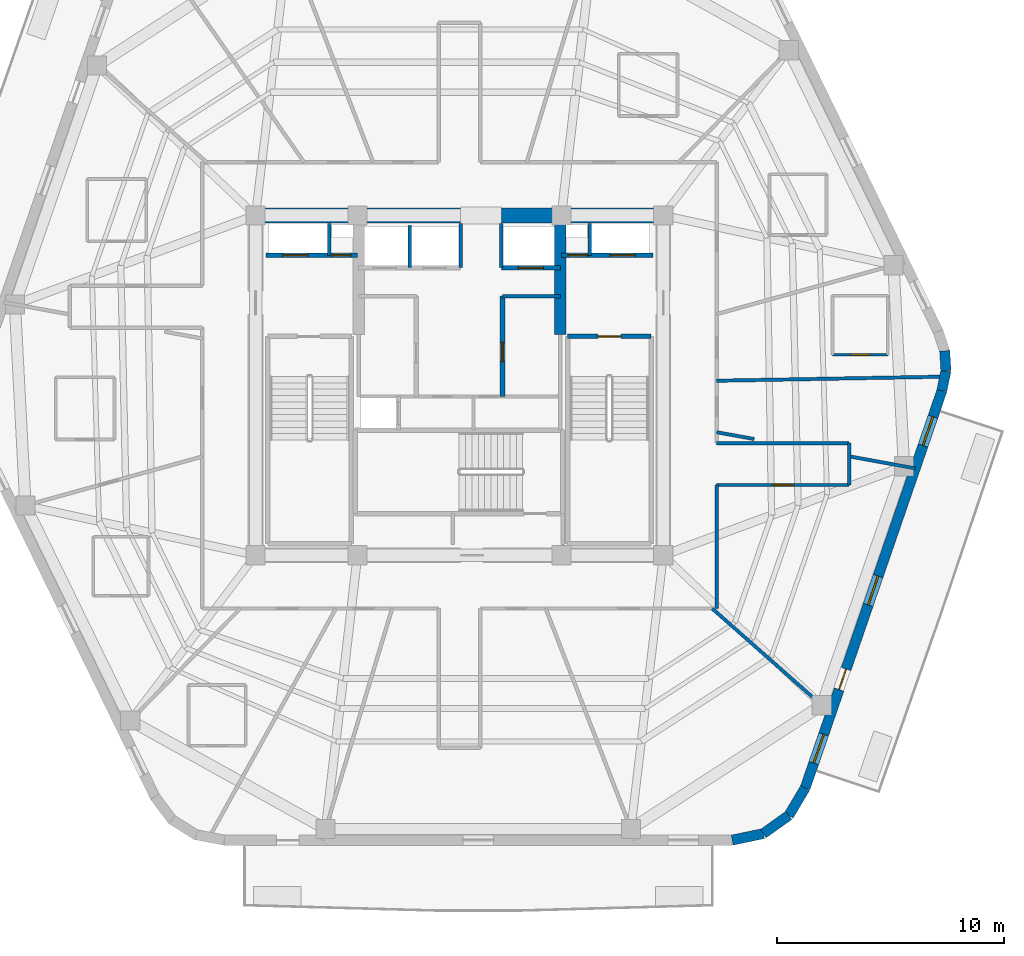
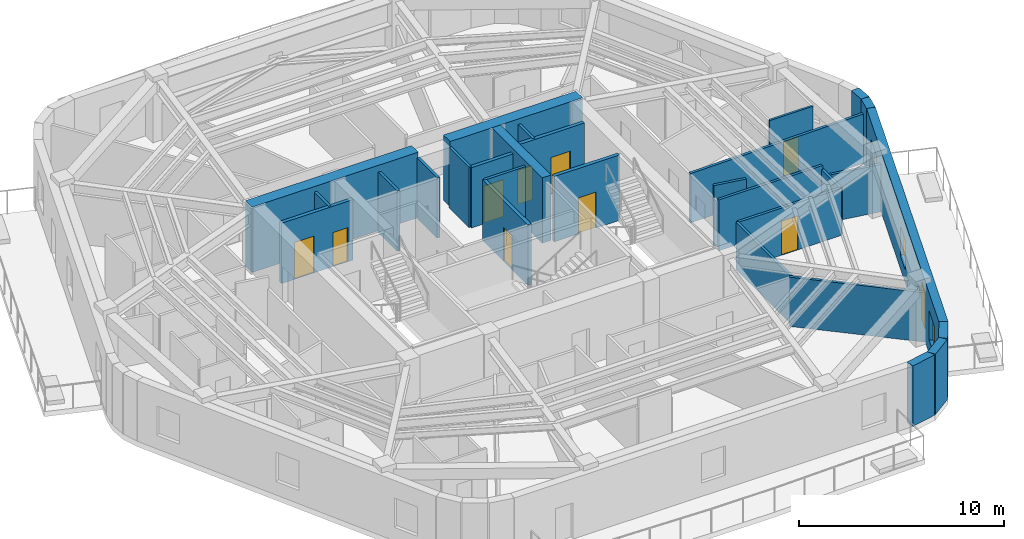
# One storey, part 5 of 9: 29 walls, 10 doors, 3 windows, 13 openings.
"""IFC4 building model written with IfcOpenShell, lengths in metres."""

from ifc_helpers import new_model, si_unit, direction, frame, frame_2d, origin, place, context, subcontext, project, spatial, rectangle, extrude, material, layer, layer_set, type_object, element, fill, save


model = new_model("IFC4")

# Units and contexts
model_context = context("Model", 3, precision=1e-05, world=origin(), true_north=direction((0.0, 1.0)))
body_context = subcontext(model_context, "Body", "Model", "MODEL_VIEW")
ifc_project = project(units=[si_unit("LENGTHUNIT", "METRE"), si_unit("AREAUNIT", "SQUARE_METRE"), si_unit("VOLUMEUNIT", "CUBIC_METRE"), si_unit("PLANEANGLEUNIT", "RADIAN"), si_unit("MASSUNIT", "GRAM", prefix="KILO")], contexts=[model_context])

# Site, building, storey
site_placement = place(None, origin())
site = spatial("IfcSite", under=ifc_project, at=site_placement, CompositionType="ELEMENT")
building_placement = place(site_placement, origin())
building = spatial("IfcBuilding", under=site, at=building_placement, Name="Kilnhurst Terrace Hotel", CompositionType="ELEMENT")
storey_placement = place(building_placement, frame((0.0, 0.0, 297.60009765625)))
storey = spatial("IfcBuildingStorey", under=building, at=storey_placement, Name="L74", CompositionType="ELEMENT", Elevation=297.60009765625)

# Walls
ifc_material_1 = material(Name="Precast concrete C40/50", Category="concrete")
ifc_layer_1 = layer(ifc_material_1, 0.449951171875, Name="Precast concrete C40/50")
ifc_layer_set_1 = layer_set([ifc_layer_1], Name="Precast concrete C40/50")
wall_type_1 = type_object("IfcWallType", Name="WL-BRK-450", PredefinedType="SOLIDWALL", material=ifc_layer_set_1)
wall_1_placement = place(storey_placement, frame((12.038330078125, -20.074951171875, 0.0), z_axis=(0.0, 0.0, 1.0), x_axis=(0.978750122553, 0.205056571711, 0.0)))
element("IfcWall", 1, at=wall_1_placement, inside=storey, type_object=wall_type_1, Name="L74 Rounded Corner Brick Wall C2.1", PredefinedType="SOLIDWALL", context=body_context, shape_type="SweptSolid", body=[
    extrude(rectangle(XDim=1.406005859375, YDim=0.449951171875, at=frame_2d((0.703125, 0.0))), origin(), (0.0, 0.0, 1.0), 3.599853515625),
])
wall_2_placement = place(storey_placement, frame((13.41455078125, -19.78662109375, 0.0), z_axis=(0.0, 0.0, 1.0), x_axis=(0.814055493997, 0.580787097561, 0.0)))
element("IfcWall", 2, at=wall_2_placement, inside=storey, type_object=wall_type_1, Name="L74 Rounded Corner Brick Wall C2.2", PredefinedType="SOLIDWALL", context=body_context, shape_type="SweptSolid", body=[
    extrude(rectangle(XDim=1.382568359375, YDim=0.449951171875, at=frame_2d((0.69140625, 0.0))), origin(), (0.0, 0.0, 1.0), 3.599853515625),
])
wall_3_placement = place(storey_placement, frame((14.5400390625, -18.983642578125, 0.0), z_axis=(0.0, 0.0, 1.0), x_axis=(0.512374906623, 0.858761873317, 0.0)))
element("IfcWall", 3, at=wall_3_placement, inside=storey, type_object=wall_type_1, Name="L74 Rounded Corner Brick Wall C2.3", PredefinedType="SOLIDWALL", context=body_context, shape_type="SweptSolid", body=[
    extrude(rectangle(XDim=1.406005859375, YDim=0.449951171875, at=frame_2d((0.703125, 0.0))), origin(), (0.0, 0.0, 1.0), 3.599853515625),
])
wall_4_placement = place(storey_placement, frame((21.297607421875, -0.2333984375, 0.0), z_axis=(0.0, 0.0, 1.0), x_axis=(0.199158176661, 0.979967356941, 0.0)))
element("IfcWall", 4, at=wall_4_placement, inside=storey, type_object=wall_type_1, Name="L74 Rounded Corner Brick Wall C3.1", PredefinedType="SOLIDWALL", context=body_context, shape_type="SweptSolid", body=[
    extrude(rectangle(XDim=0.894775390625, YDim=0.449951171875, at=frame_2d((0.447265625, 0.0))), origin(), (0.0, 0.0, 1.0), 3.599853515625),
])
wall_5_placement = place(storey_placement, frame((21.475830078125, 0.6435546875, 0.0), z_axis=(0.0, 0.0, 1.0), x_axis=(-0.061031097918, 0.998135865044, 0.0)))
element("IfcWall", 5, at=wall_5_placement, inside=storey, type_object=wall_type_1, Name="L74 Rounded Corner Brick Wall C3.2", PredefinedType="SOLIDWALL", context=body_context, shape_type="SweptSolid", body=[
    extrude(rectangle(XDim=0.880126953125, YDim=0.449951171875, at=frame_2d((0.43994140625, 0.0))), origin(), (0.0, 0.0, 1.0), 3.599853515625),
])

# Wall, openings, door, windows
wall_6_placement = place(storey_placement, frame((15.260498046875, -17.776123046875, 0.0), z_axis=(0.0, 0.0, 1.0), x_axis=(0.325407437101, 0.945573899745, 0.0)))
wall_6 = element("IfcWall", 6, at=wall_6_placement, inside=storey, type_object=wall_type_1, Name="L74 Exterior Brick Facade Wall F2", PredefinedType="SOLIDWALL", context=body_context, shape_type="SweptSolid", body=[
    extrude(rectangle(XDim=18.552490234375, YDim=0.449951171875, at=frame_2d((9.2763671875, 0.0))), origin(), (0.0, 0.0, 1.0), 3.599853515625),
])
opening_1_placement = place(wall_6_placement, frame((4.60205078125, 0.0, 0.0)))
opening_1 = element("IfcOpeningElement", 7, at=opening_1_placement, cuts=wall_6, Name="Opening BD-950", PredefinedType="OPENING", context=body_context, shape_type="SweptSolid", body=[
    extrude(rectangle(XDim=0.949951171875, YDim=2.14990234375, at=frame_2d((0.47509765625, 1.074951171875))), frame((0.0, 0.23486328125, 0.0), z_axis=(0.0, -1.0, 0.0), x_axis=(1.0, 0.0, 0.0)), (0.0, 0.0, 1.0), 0.469970703125),
])
opening_2_placement = place(wall_6_placement, frame((1.160888671875, 0.0, 0.800048828125)))
opening_2 = element("IfcOpeningElement", 8, at=opening_2_placement, cuts=wall_6, Name="Opening W-06", PredefinedType="OPENING", context=body_context, shape_type="SweptSolid", body=[
    extrude(rectangle(XDim=1.35009765625, YDim=1.75, at=frame_2d((0.675048828125, 0.875))), frame((0.0, 0.23486328125, 0.0), z_axis=(0.0, -1.0, 0.0), x_axis=(1.0, 0.0, 0.0)), (0.0, 0.0, 1.0), 0.469970703125),
])
opening_3_placement = place(wall_6_placement, frame((8.548095703125, 0.0, 0.800048828125)))
opening_3 = element("IfcOpeningElement", 9, at=opening_3_placement, cuts=wall_6, Name="Opening W-06", PredefinedType="OPENING", context=body_context, shape_type="SweptSolid", body=[
    extrude(rectangle(XDim=1.35009765625, YDim=1.75, at=frame_2d((0.675048828125, 0.875))), frame((0.0, 0.23486328125, 0.0), z_axis=(0.0, -1.0, 0.0), x_axis=(1.0, 0.0, 0.0)), (0.0, 0.0, 1.0), 0.469970703125),
])
opening_4_placement = place(wall_6_placement, frame((15.987060546875, 0.0, 0.800048828125)))
opening_4 = element("IfcOpeningElement", 10, at=opening_4_placement, cuts=wall_6, Name="Opening W-06", PredefinedType="OPENING", context=body_context, shape_type="SweptSolid", body=[
    extrude(rectangle(XDim=1.35009765625, YDim=1.75, at=frame_2d((0.675048828125, 0.875))), frame((0.0, 0.23486328125, 0.0), z_axis=(0.0, -1.0, 0.0), x_axis=(1.0, 0.0, 0.0)), (0.0, 0.0, 1.0), 0.469970703125),
])
ifc_material_2 = material(Name="Thermally Broken Bronze Aluminium Alloy 6063-T6 and Laminated Glass", Category="aluminium")
door_type_1 = type_object("IfcDoorType", Name="DR-EXT-BAL-950", OperationType="NOTDEFINED", PredefinedType="DOOR", material=ifc_material_2)
door_1_placement = place(opening_1_placement, origin())
door_1 = element("IfcDoor", 11, at=door_1_placement, inside=storey, type_object=door_type_1, Name="L74 Planted Balcony Door BAL-L1B", OperationType="SINGLE_SWING_RIGHT", OverallHeight=2.14990234375, OverallWidth=0.949951171875, PredefinedType="DOOR", context=body_context, shape_type="SweptSolid", body=[
    extrude(rectangle(XDim=0.949951171875, YDim=2.14990234375, at=frame_2d((0.47509765625, 1.074951171875))), frame((0.0, 0.02490234375, 0.0), z_axis=(0.0, -1.0, 0.0), x_axis=(1.0, 0.0, 0.0)), (0.0, 0.0, 1.0), 0.050048828125),
])
fill(opening_1, door_1)
ifc_material_3 = material(Name="Thermally Broken Bronze Aluminium Alloy 6063-T6 and Low-E Glass", Category="aluminium")
window_type = type_object("IfcWindowType", Name="WIN-1350X1750", PartitioningType="SINGLE_PANEL", PredefinedType="WINDOW", material=ifc_material_3)
window_1_placement = place(opening_2_placement, origin())
window_1 = element("IfcWindow", 12, at=window_1_placement, inside=storey, type_object=window_type, Name="L74 Deep-Set Masonry Window F2.1", OverallHeight=1.75, OverallWidth=1.35009765625, PartitioningType="SINGLE_PANEL", PredefinedType="WINDOW", context=body_context, shape_type="SweptSolid", body=[
    extrude(rectangle(XDim=1.35009765625, YDim=1.75, at=frame_2d((0.675048828125, 0.875))), frame((0.0, 0.030029296875, 0.0), z_axis=(0.0, -1.0, 0.0), x_axis=(1.0, 0.0, 0.0)), (0.0, 0.0, 1.0), 0.06005859375),
])
fill(opening_2, window_1)
window_2_placement = place(opening_3_placement, origin())
window_2 = element("IfcWindow", 13, at=window_2_placement, inside=storey, type_object=window_type, Name="L74 Deep-Set Masonry Window F2.2", OverallHeight=1.75, OverallWidth=1.35009765625, PartitioningType="SINGLE_PANEL", PredefinedType="WINDOW", context=body_context, shape_type="SweptSolid", body=[
    extrude(rectangle(XDim=1.35009765625, YDim=1.75, at=frame_2d((0.675048828125, 0.875))), frame((0.0, 0.030029296875, 0.0), z_axis=(0.0, -1.0, 0.0), x_axis=(1.0, 0.0, 0.0)), (0.0, 0.0, 1.0), 0.06005859375),
])
fill(opening_3, window_2)
window_3_placement = place(opening_4_placement, origin())
window_3 = element("IfcWindow", 14, at=window_3_placement, inside=storey, type_object=window_type, Name="L74 Deep-Set Masonry Window F2.3", OverallHeight=1.75, OverallWidth=1.35009765625, PartitioningType="SINGLE_PANEL", PredefinedType="WINDOW", context=body_context, shape_type="SweptSolid", body=[
    extrude(rectangle(XDim=1.35009765625, YDim=1.75, at=frame_2d((0.675048828125, 0.875))), frame((0.0, 0.030029296875, 0.0), z_axis=(0.0, -1.0, 0.0), x_axis=(1.0, 0.0, 0.0)), (0.0, 0.0, 1.0), 0.06005859375),
])
fill(opening_4, window_3)

# Walls
ifc_material_4 = material(Name="Acoustic Double-Gypsum Corridor Partition Assembly")
ifc_layer_2 = layer(ifc_material_4, 0.14990234375, Name="Acoustic Double-Gypsum Corridor Partition Assembly")
ifc_layer_set_2 = layer_set([ifc_layer_2], Name="Acoustic Double-Gypsum Corridor Partition Assembly")
wall_type_2 = type_object("IfcWallType", Name="WL-COR-150", PredefinedType="PARTITIONING", material=ifc_layer_set_2)
wall_7_placement = place(storey_placement, frame((11.35009765625, -2.550048828125, 0.0), z_axis=(0.0, 0.0, 1.0), x_axis=(1.0, 0.0, 0.0)))
element("IfcWall", 15, at=wall_7_placement, inside=storey, type_object=wall_type_2, Name="L74 Interior Wall WL-L74-COR-12", PredefinedType="PARTITIONING", context=body_context, shape_type="SweptSolid", body=[
    extrude(rectangle(XDim=5.849853515625, YDim=0.14990234375, at=frame_2d((2.9248046875, 0.0))), origin(), (0.0, 0.0, 1.0), 3.040283203125),
])
wall_8_placement = place(storey_placement, frame((17.199951171875, -2.550048828125, 0.0), z_axis=(0.0, 0.0, 1.0), x_axis=(0.0, -1.0, 0.0)))
element("IfcWall", 16, at=wall_8_placement, inside=storey, type_object=wall_type_2, Name="L74 Interior Wall WL-L74-COR-13", PredefinedType="PARTITIONING", context=body_context, shape_type="SweptSolid", body=[
    extrude(rectangle(XDim=1.849853515625, YDim=0.14990234375, at=frame_2d((0.9248046875, 0.0))), origin(), (0.0, 0.0, 1.0), 2.81640625),
])

# Wall, opening, door
wall_9_placement = place(storey_placement, frame((17.199951171875, -4.39990234375, 0.0), z_axis=(0.0, 0.0, 1.0), x_axis=(-1.0, 0.0, 0.0)))
wall_9 = element("IfcWall", 17, at=wall_9_placement, inside=storey, type_object=wall_type_2, Name="L74 Interior Wall WL-L74-COR-14", PredefinedType="PARTITIONING", context=body_context, shape_type="SweptSolid", body=[
    extrude(rectangle(XDim=5.849853515625, YDim=0.14990234375, at=frame_2d((2.9248046875, 0.0))), origin(), (0.0, 0.0, 1.0), 2.81640625),
])
opening_5_placement = place(wall_9_placement, frame((2.449951171875, 0.0, 0.0)))
opening_5 = element("IfcOpeningElement", 18, at=opening_5_placement, cuts=wall_9, Name="Opening D-60B", PredefinedType="OPENING", context=body_context, shape_type="SweptSolid", body=[
    extrude(rectangle(XDim=0.949951171875, YDim=2.030029296875, at=frame_2d((0.47509765625, 1.01513671875))), frame((0.0, 0.0849609375, 0.0), z_axis=(0.0, -1.0, 0.0), x_axis=(1.0, 0.0, 0.0)), (0.0, 0.0, 1.0), 0.169921875),
])
ifc_material_5 = material(Name="Acoustic Walnut Veneer Solid-Core Fire Door")
door_type_2 = type_object("IfcDoorType", Name="DR-FD60-950", OperationType="NOTDEFINED", PredefinedType="DOOR", material=ifc_material_5)
door_2_placement = place(opening_5_placement, origin())
door_2 = element("IfcDoor", 19, at=door_2_placement, inside=storey, type_object=door_type_2, Name="L74 Summit Boardroom Door", OperationType="SINGLE_SWING_RIGHT", OverallHeight=2.030029296875, OverallWidth=0.949951171875, PredefinedType="DOOR", context=body_context, shape_type="SweptSolid", body=[
    extrude(rectangle(XDim=0.949951171875, YDim=2.030029296875, at=frame_2d((0.47509765625, 1.01513671875))), frame((0.0, 0.02490234375, 0.0), z_axis=(0.0, -1.0, 0.0), x_axis=(1.0, 0.0, 0.0)), (0.0, 0.0, 1.0), 0.050048828125),
])
fill(opening_5, door_2)

# Walls
wall_10_placement = place(storey_placement, frame((11.35009765625, -4.39990234375, 0.0), z_axis=(0.0, 0.0, 1.0), x_axis=(0.0, -1.0, 0.0)))
element("IfcWall", 20, at=wall_10_placement, inside=storey, type_object=wall_type_2, Name="L74 Interior Wall WL-L74-COR-15", PredefinedType="PARTITIONING", context=body_context, shape_type="SweptSolid", body=[
    extrude(rectangle(XDim=5.4501953125, YDim=0.14990234375, at=frame_2d((2.72509765625, 0.0))), origin(), (0.0, 0.0, 1.0), 2.81640625),
])
ifc_material_6 = material(Name="Concrete C60/75", Category="concrete")
ifc_layer_3 = layer(ifc_material_6, 0.64990234375, Name="Concrete C60/75")
ifc_layer_set_3 = layer_set([ifc_layer_3], Name="Concrete C60/75")
wall_type_3 = type_object("IfcWallType", Name="WL-CORE-650", PredefinedType="SHEAR", material=ifc_layer_set_3)
wall_11_placement = place(storey_placement, frame((-9.324951171875, 7.5, 0.0), z_axis=(0.0, 0.0, 1.0), x_axis=(1.0, 0.0, 0.0)))
element("IfcWall", 21, at=wall_11_placement, inside=storey, type_object=wall_type_3, Name="L74 Core North West Shear Wall", PredefinedType="SHEAR", context=body_context, shape_type="SweptSolid", body=[
    extrude(rectangle(XDim=9.375, YDim=0.64990234375, at=frame_2d((4.6875, 0.0))), origin(), (0.0, 0.0, 1.0), 3.89990234375),
])
wall_12_placement = place(storey_placement, frame((1.85009765625, 7.5, 0.0), z_axis=(0.0, 0.0, 1.0), x_axis=(1.0, 0.0, 0.0)))
element("IfcWall", 22, at=wall_12_placement, inside=storey, type_object=wall_type_3, Name="L74 Core North East Shear Wall", PredefinedType="SHEAR", context=body_context, shape_type="SweptSolid", body=[
    extrude(rectangle(XDim=7.474853515625, YDim=0.64990234375, at=frame_2d((3.7373046875, 0.0))), origin(), (0.0, 0.0, 1.0), 3.89990234375),
])
ifc_layer_4 = layer(ifc_material_6, 0.5, Name="Concrete C60/75")
ifc_layer_set_4 = layer_set([ifc_layer_4], Name="Concrete C60/75")
wall_type_4 = type_object("IfcWallType", Name="WL-CORE-WEB-500", PredefinedType="SHEAR", material=ifc_layer_set_4)
wall_13_placement = place(storey_placement, frame((4.449951171875, 2.25, 0.0), z_axis=(0.0, 0.0, 1.0), x_axis=(0.0, 1.0, 0.0)))
element("IfcWall", 23, at=wall_13_placement, inside=storey, type_object=wall_type_4, Name="L74 Core Internal East Shear Web", PredefinedType="SHEAR", context=body_context, shape_type="SweptSolid", body=[
    extrude(rectangle(XDim=4.925048828125, YDim=0.5, at=frame_2d((2.46240234375, 0.0))), origin(), (0.0, 0.0, 1.0), 3.89990234375),
])
ifc_material_7 = material(Name="STC-58 Acoustic Twin-Frame Guestroom Demising Partition")
ifc_layer_5 = layer(ifc_material_7, 0.14990234375, Name="STC-58 Acoustic Twin-Frame Guestroom Demising Partition")
ifc_layer_set_5 = layer_set([ifc_layer_5], Name="STC-58 Acoustic Twin-Frame Guestroom Demising Partition")
wall_type_5 = type_object("IfcWallType", Name="WL-DEM-150", PredefinedType="PARTITIONING", material=ifc_layer_set_5)
wall_14_placement = place(storey_placement, frame((11.35009765625, 0.2041015625, 0.0), z_axis=(0.0, 0.0, 1.0), x_axis=(0.999838748671, 0.017957635019, 0.0)))
element("IfcWall", 24, at=wall_14_placement, inside=storey, type_object=wall_type_5, Name="L74 Interior Wall WL-L74-DEM-MID12-01-1", PredefinedType="PARTITIONING", context=body_context, shape_type="SweptSolid", body=[
    extrude(rectangle(XDim=9.9111328125, YDim=0.14990234375, at=frame_2d((4.95556640625, 0.0))), origin(), (0.0, 0.0, 1.0), 2.93994140625),
])
wall_15_placement = place(storey_placement, frame((11.1572265625, -9.85009765625, 0.0), z_axis=(0.0, 0.0, 1.0), x_axis=(0.74966962095, -0.661812253909, 0.0)))
element("IfcWall", 25, at=wall_15_placement, inside=storey, type_object=wall_type_5, Name="L74 Interior Wall WL-L74-DEM-COL11-14-1", PredefinedType="PARTITIONING", context=body_context, shape_type="SweptSolid", body=[
    extrude(rectangle(XDim=6.98876953125, YDim=0.14990234375, at=frame_2d((3.494384765625, 0.0))), origin(), (0.0, 0.0, 1.0), 2.93994140625),
])
wall_16_placement = place(storey_placement, frame((11.35009765625, -2.067138671875, 0.0), z_axis=(0.0, 0.0, 1.0), x_axis=(0.983807459651, -0.179228575665, 0.0)))
element("IfcWall", 26, at=wall_16_placement, inside=storey, type_object=wall_type_5, Name="L74 Interior Wall WL-L74-DEM-COL12-15-1", PredefinedType="PARTITIONING", context=body_context, shape_type="SweptSolid", body=[
    extrude(rectangle(XDim=1.6904296875, YDim=0.14990234375, at=frame_2d((0.84521484375, 0.0))), origin(), (0.0, 0.0, 1.0), 3.599853515625),
])
wall_17_placement = place(storey_placement, frame((17.199951171875, -3.132568359375, 0.0), z_axis=(0.0, 0.0, 1.0), x_axis=(0.983817168797, -0.179175272791, 0.0)))
element("IfcWall", 27, at=wall_17_placement, inside=storey, type_object=wall_type_5, Name="L74 Interior Wall WL-L74-DEM-COL12-15-2", PredefinedType="PARTITIONING", context=body_context, shape_type="SweptSolid", body=[
    extrude(rectangle(XDim=2.965087890625, YDim=0.14990234375, at=frame_2d((1.482421875, 0.0))), origin(), (0.0, 0.0, 1.0), 2.81640625),
])

# Wall, opening, door
ifc_material_8 = material(Name="120 mm Moisture-Resistant Tile-Backed Bathroom Partition")
ifc_layer_6 = layer(ifc_material_8, 0.1201171875, Name="120 mm Moisture-Resistant Tile-Backed Bathroom Partition")
ifc_layer_set_6 = layer_set([ifc_layer_6], Name="120 mm Moisture-Resistant Tile-Backed Bathroom Partition")
wall_type_6 = type_object("IfcWallType", Name="WL-PART-120", PredefinedType="PARTITIONING", material=ifc_layer_set_6)
wall_18_placement = place(storey_placement, frame((16.470947265625, 1.34912109375, 0.0), z_axis=(0.0, 0.0, 1.0), x_axis=(1.0, 0.0, 0.0)))
wall_18 = element("IfcWall", 28, at=wall_18_placement, inside=storey, type_object=wall_type_6, Name="L74 Interior Wall WL-L74-BTH-01-1", PredefinedType="PARTITIONING", context=body_context, shape_type="SweptSolid", body=[
    extrude(rectangle(XDim=2.43994140625, YDim=0.1201171875, at=frame_2d((1.219970703125, 0.0))), origin(), (0.0, 0.0, 1.0), 3.599853515625),
])
opening_6_placement = place(wall_18_placement, frame((0.794921875, 0.0, 0.0)))
opening_6 = element("IfcOpeningElement", 29, at=opening_6_placement, cuts=wall_18, Name="Opening D-08A", PredefinedType="OPENING", context=body_context, shape_type="SweptSolid", body=[
    extrude(rectangle(XDim=0.85009765625, YDim=2.030029296875, at=frame_2d((0.425048828125, 1.01513671875))), frame((0.0, 0.070068359375, 0.0), z_axis=(0.0, -1.0, 0.0), x_axis=(1.0, 0.0, 0.0)), (0.0, 0.0, 1.0), 0.14013671875),
])
ifc_material_9 = material(Name="Moisture-Resistant Lacquered En-suite Bathroom Door")
door_type_3 = type_object("IfcDoorType", Name="DR-INT-850", OperationType="NOTDEFINED", PredefinedType="DOOR", material=ifc_material_9)
door_3_placement = place(opening_6_placement, origin())
door_3 = element("IfcDoor", 30, at=door_3_placement, inside=storey, type_object=door_type_3, Name="L74 En-suite Bathroom Door 1", OperationType="SINGLE_SWING_RIGHT", OverallHeight=2.030029296875, OverallWidth=0.85009765625, PredefinedType="DOOR", context=body_context, shape_type="SweptSolid", body=[
    extrude(rectangle(XDim=0.85009765625, YDim=2.030029296875, at=frame_2d((0.425048828125, 1.01513671875))), frame((0.0, 0.02490234375, 0.0), z_axis=(0.0, -1.0, 0.0), x_axis=(1.0, 0.0, 0.0)), (0.0, 0.0, 1.0), 0.050048828125),
])
fill(opening_6, door_3)

# Walls
ifc_material_10 = material(Name="Fire-Rated Gypsum Shaftliner Assembly")
ifc_layer_7 = layer(ifc_material_10, 0.14990234375, Name="Fire-Rated Gypsum Shaftliner Assembly")
ifc_layer_set_7 = layer_set([ifc_layer_7], Name="Fire-Rated Gypsum Shaftliner Assembly")
wall_type_7 = type_object("IfcWallType", Name="WL-SHAFT-150", PredefinedType="PARTITIONING", material=ifc_layer_set_7)
for number, where, z_axis, x_axis, name in (
    (31, (-5.75, 5.739990234375, 0.0), (0.0, 0.0, 1.0), (0.0, 1.0, 0.0), "L74 Interior Wall WL-L74-RIS1-DIV"),
    (32, (5.75, 5.739990234375, 0.0), (0.0, 0.0, 1.0), (0.0, 1.0, 0.0), "L74 Interior Wall WL-L74-RIS2-DIV"),
):
    element("IfcWall", number, at=place(storey_placement, frame(where, z_axis=z_axis, x_axis=x_axis)), inside=storey, type_object=wall_type_7, Name=name, PredefinedType="PARTITIONING", context=body_context, shape_type="SweptSolid", body=[
        extrude(rectangle(XDim=1.409912109375, YDim=0.14990234375, at=frame_2d((0.705078125, 0.0))), origin(), (0.0, 0.0, 1.0), 3.599853515625),
    ])
wall_19_placement = place(storey_placement, frame((-2.199951171875, 5.199951171875, 0.0), z_axis=(0.0, 0.0, 1.0), x_axis=(0.0, 1.0, 0.0)))
element("IfcWall", 33, at=wall_19_placement, inside=storey, type_object=wall_type_7, Name="L74 Interior Wall WL-L74-HR-DIV1", PredefinedType="PARTITIONING", context=body_context, shape_type="SweptSolid", body=[
    extrude(rectangle(XDim=1.85009765625, YDim=0.14990234375, at=frame_2d((0.925048828125, 0.0))), origin(), (0.0, 0.0, 1.0), 3.599853515625),
])
for number, where, z_axis, x_axis, name in (
    (34, (0.050048828125, 5.199951171875, 0.0), (0.0, 0.0, 1.0), (0.0, 1.0, 0.0), "L74 Interior Wall WL-L74-HR-PORTAL-W"),
    (35, (1.85009765625, 5.199951171875, 0.0), (0.0, 0.0, 1.0), (0.0, 1.0, 0.0), "L74 Interior Wall WL-L74-HR-PORTAL-E"),
):
    element("IfcWall", number, at=place(storey_placement, frame(where, z_axis=z_axis, x_axis=x_axis)), inside=storey, type_object=wall_type_7, Name=name, PredefinedType="PARTITIONING", context=body_context, shape_type="SweptSolid", body=[
        extrude(rectangle(XDim=1.949951171875, YDim=0.14990234375, at=frame_2d((0.97509765625, 0.0))), origin(), (0.0, 0.0, 1.0), 3.599853515625),
    ])
wall_20_placement = place(storey_placement, frame((1.89990234375, 3.93994140625, 0.0), z_axis=(0.0, 0.0, 1.0), x_axis=(1.0, 0.0, 0.0)))
element("IfcWall", 36, at=wall_20_placement, inside=storey, type_object=wall_type_7, Name="L74 Interior Wall WL-L74-MR-NORTH", PredefinedType="PARTITIONING", context=body_context, shape_type="SweptSolid", body=[
    extrude(rectangle(XDim=2.550048828125, YDim=0.14990234375, at=frame_2d((1.27490234375, 0.0))), origin(), (0.0, 0.0, 1.0), 3.599853515625),
])

# Wall, openings, doors
ifc_material_11 = material(Name="Autoclaved Aerated Concrete C30/37 and Gypsum Shaft Assembly", Category="concrete")
ifc_layer_8 = layer(ifc_material_11, 0.199951171875, Name="Autoclaved Aerated Concrete C30/37 and Gypsum Shaft Assembly")
ifc_layer_set_8 = layer_set([ifc_layer_8], Name="Autoclaved Aerated Concrete C30/37 and Gypsum Shaft Assembly")
wall_type_8 = type_object("IfcWallType", Name="WL-SHAFT-200", PredefinedType="PARTITIONING", material=ifc_layer_set_8)
wall_21_placement = place(storey_placement, frame((-8.550048828125, 5.739990234375, 0.0), z_axis=(0.0, 0.0, 1.0), x_axis=(1.0, 0.0, 0.0)))
wall_21 = element("IfcWall", 37, at=wall_21_placement, inside=storey, type_object=wall_type_8, Name="L74 Interior Wall WL-L74-FSAE1-S", PredefinedType="PARTITIONING", context=body_context, shape_type="SweptSolid", body=[
    extrude(rectangle(XDim=4.050048828125, YDim=0.199951171875, at=frame_2d((2.02490234375, 0.0))), origin(), (0.0, 0.0, 1.0), 3.599853515625),
])
opening_7_placement = place(wall_21_placement, frame((0.75, 0.0, 0.0)))
opening_7 = element("IfcOpeningElement", 38, at=opening_7_placement, cuts=wall_21, Name="Opening LD-F1", PredefinedType="OPENING", context=body_context, shape_type="SweptSolid", body=[
    extrude(rectangle(XDim=1.10009765625, YDim=2.199951171875, at=frame_2d((0.550048828125, 1.10009765625))), frame((0.0, 0.10986328125, 0.0), z_axis=(0.0, -1.0, 0.0), x_axis=(1.0, 0.0, 0.0)), (0.0, 0.0, 1.0), 0.219970703125),
])
opening_8_placement = place(wall_21_placement, frame((2.89990234375, 0.0, 0.0)))
opening_8 = element("IfcOpeningElement", 39, at=opening_8_placement, cuts=wall_21, Name="Opening D-60D", PredefinedType="OPENING", context=body_context, shape_type="SweptSolid", body=[
    extrude(rectangle(XDim=0.85009765625, YDim=2.030029296875, at=frame_2d((0.425048828125, 1.01513671875))), frame((0.0, 0.10986328125, 0.0), z_axis=(0.0, -1.0, 0.0), x_axis=(1.0, 0.0, 0.0)), (0.0, 0.0, 1.0), 0.219970703125),
])
ifc_material_12 = material(Name="Painted Hollow Metal Steel ASTM A36 Riser Door", Category="steel")
door_type_4 = type_object("IfcDoorType", Name="DR-FD60-850", OperationType="NOTDEFINED", PredefinedType="DOOR", material=ifc_material_12)
door_4_placement = place(opening_8_placement, origin())
door_4 = element("IfcDoor", 40, at=door_4_placement, inside=storey, type_object=door_type_4, Name="L74 Electrical Riser Door", OperationType="SINGLE_SWING_LEFT", OverallHeight=2.030029296875, OverallWidth=0.85009765625, PredefinedType="DOOR", context=body_context, shape_type="SweptSolid", body=[
    extrude(rectangle(XDim=0.85009765625, YDim=2.030029296875, at=frame_2d((0.425048828125, 1.01513671875))), frame((0.0, 0.02490234375, 0.0), z_axis=(0.0, -1.0, 0.0), x_axis=(1.0, 0.0, 0.0)), (0.0, 0.0, 1.0), 0.050048828125),
])
fill(opening_8, door_4)
ifc_material_13 = material(Name="Bronze-Anodized Stainless Steel AISI 316L Sliding Door", Category="steel")
door_type_5 = type_object("IfcDoorType", Name="DR-LIFT-1100", OperationType="NOTDEFINED", PredefinedType="DOOR", material=ifc_material_13)
door_5_placement = place(opening_7_placement, origin())
door_5 = element("IfcDoor", 41, at=door_5_placement, inside=storey, type_object=door_type_5, Name="L74 FSAE-1 Landing Door", OperationType="SLIDING_TO_LEFT", OverallHeight=2.199951171875, OverallWidth=1.10009765625, PredefinedType="DOOR", context=body_context, shape_type="SweptSolid", body=[
    extrude(rectangle(XDim=1.10009765625, YDim=2.199951171875, at=frame_2d((0.550048828125, 1.10009765625))), frame((0.0, 0.02490234375, 0.0), z_axis=(0.0, -1.0, 0.0), x_axis=(1.0, 0.0, 0.0)), (0.0, 0.0, 1.0), 0.050048828125),
])
fill(opening_7, door_5)

wall_22_placement = place(storey_placement, frame((4.5, 5.739990234375, 0.0), z_axis=(0.0, 0.0, 1.0), x_axis=(1.0, 0.0, 0.0)))
wall_22 = element("IfcWall", 42, at=wall_22_placement, inside=storey, type_object=wall_type_8, Name="L74 Interior Wall WL-L74-FSAE2-S", PredefinedType="PARTITIONING", context=body_context, shape_type="SweptSolid", body=[
    extrude(rectangle(XDim=4.050048828125, YDim=0.199951171875, at=frame_2d((2.02490234375, 0.0))), origin(), (0.0, 0.0, 1.0), 3.599853515625),
])
opening_9_placement = place(wall_22_placement, frame((0.300048828125, 0.0, 0.0)))
opening_9 = element("IfcOpeningElement", 43, at=opening_9_placement, cuts=wall_22, Name="Opening D-60D", PredefinedType="OPENING", context=body_context, shape_type="SweptSolid", body=[
    extrude(rectangle(XDim=0.85009765625, YDim=2.030029296875, at=frame_2d((0.425048828125, 1.01513671875))), frame((0.0, 0.10986328125, 0.0), z_axis=(0.0, -1.0, 0.0), x_axis=(1.0, 0.0, 0.0)), (0.0, 0.0, 1.0), 0.219970703125),
])
opening_10_placement = place(wall_22_placement, frame((2.14990234375, 0.0, 0.0)))
opening_10 = element("IfcOpeningElement", 44, at=opening_10_placement, cuts=wall_22, Name="Opening LD-F2", PredefinedType="OPENING", context=body_context, shape_type="SweptSolid", body=[
    extrude(rectangle(XDim=1.10009765625, YDim=2.199951171875, at=frame_2d((0.550048828125, 1.10009765625))), frame((0.0, 0.10986328125, 0.0), z_axis=(0.0, -1.0, 0.0), x_axis=(1.0, 0.0, 0.0)), (0.0, 0.0, 1.0), 0.219970703125),
])
door_6_placement = place(opening_9_placement, origin())
door_6 = element("IfcDoor", 45, at=door_6_placement, inside=storey, type_object=door_type_4, Name="L74 Telecom Riser Door", OperationType="SINGLE_SWING_RIGHT", OverallHeight=2.030029296875, OverallWidth=0.85009765625, PredefinedType="DOOR", context=body_context, shape_type="SweptSolid", body=[
    extrude(rectangle(XDim=0.85009765625, YDim=2.030029296875, at=frame_2d((0.425048828125, 1.01513671875))), frame((0.0, 0.02490234375, 0.0), z_axis=(0.0, -1.0, 0.0), x_axis=(1.0, 0.0, 0.0)), (0.0, 0.0, 1.0), 0.050048828125),
])
fill(opening_9, door_6)
door_7_placement = place(opening_10_placement, origin())
door_7 = element("IfcDoor", 46, at=door_7_placement, inside=storey, type_object=door_type_5, Name="L74 FSAE-2 Landing Door", OperationType="SLIDING_TO_RIGHT", OverallHeight=2.199951171875, OverallWidth=1.10009765625, PredefinedType="DOOR", context=body_context, shape_type="SweptSolid", body=[
    extrude(rectangle(XDim=1.10009765625, YDim=2.199951171875, at=frame_2d((0.550048828125, 1.10009765625))), frame((0.0, 0.02490234375, 0.0), z_axis=(0.0, -1.0, 0.0), x_axis=(1.0, 0.0, 0.0)), (0.0, 0.0, 1.0), 0.050048828125),
])
fill(opening_10, door_7)

# Wall, opening, door
wall_23_placement = place(storey_placement, frame((1.85009765625, 5.199951171875, 0.0), z_axis=(0.0, 0.0, 1.0), x_axis=(1.0, 0.0, 0.0)))
wall_23 = element("IfcWall", 47, at=wall_23_placement, inside=storey, type_object=wall_type_8, Name="L74 Interior Wall WL-L74-HR-SE", PredefinedType="PARTITIONING", context=body_context, shape_type="SweptSolid", body=[
    extrude(rectangle(XDim=2.599853515625, YDim=0.199951171875, at=frame_2d((1.2998046875, 0.0))), origin(), (0.0, 0.0, 1.0), 3.599853515625),
])
opening_11_placement = place(wall_23_placement, frame((0.75, 0.0, 0.0)))
opening_11 = element("IfcOpeningElement", 48, at=opening_11_placement, cuts=wall_23, Name="Opening LD-H2", PredefinedType="OPENING", context=body_context, shape_type="SweptSolid", body=[
    extrude(rectangle(XDim=1.10009765625, YDim=2.199951171875, at=frame_2d((0.550048828125, 1.10009765625))), frame((0.0, 0.10986328125, 0.0), z_axis=(0.0, -1.0, 0.0), x_axis=(1.0, 0.0, 0.0)), (0.0, 0.0, 1.0), 0.219970703125),
])
door_8_placement = place(opening_11_placement, origin())
door_8 = element("IfcDoor", 49, at=door_8_placement, inside=storey, type_object=door_type_5, Name="L74 High Rise Lift HR-2 Landing Door", OperationType="SLIDING_TO_RIGHT", OverallHeight=2.199951171875, OverallWidth=1.10009765625, PredefinedType="DOOR", context=body_context, shape_type="SweptSolid", body=[
    extrude(rectangle(XDim=1.10009765625, YDim=2.199951171875, at=frame_2d((0.550048828125, 1.10009765625))), frame((0.0, 0.02490234375, 0.0), z_axis=(0.0, -1.0, 0.0), x_axis=(1.0, 0.0, 0.0)), (0.0, 0.0, 1.0), 0.050048828125),
])
fill(opening_11, door_8)

wall_24_placement = place(storey_placement, frame((1.89990234375, -0.5, 0.0), z_axis=(0.0, 0.0, 1.0), x_axis=(0.0, 1.0, 0.0)))
wall_24 = element("IfcWall", 50, at=wall_24_placement, inside=storey, type_object=wall_type_8, Name="L74 Interior Wall WL-L74-MR-FRONT", PredefinedType="PARTITIONING", context=body_context, shape_type="SweptSolid", body=[
    extrude(rectangle(XDim=4.43994140625, YDim=0.199951171875, at=frame_2d((2.219970703125, 0.0))), origin(), (0.0, 0.0, 1.0), 3.599853515625),
])
opening_12_placement = place(wall_24_placement, frame((1.550048828125, 0.0, 0.0)))
opening_12 = element("IfcOpeningElement", 51, at=opening_12_placement, cuts=wall_24, Name="Opening D-60D", PredefinedType="OPENING", context=body_context, shape_type="SweptSolid", body=[
    extrude(rectangle(XDim=0.85009765625, YDim=2.030029296875, at=frame_2d((0.425048828125, 1.01513671875))), frame((0.0, 0.10986328125, 0.0), z_axis=(0.0, -1.0, 0.0), x_axis=(1.0, 0.0, 0.0)), (0.0, 0.0, 1.0), 0.219970703125),
])
door_9_placement = place(opening_12_placement, origin())
door_9 = element("IfcDoor", 52, at=door_9_placement, inside=storey, type_object=door_type_4, Name="L74 Staff Accessible Restroom Door", OperationType="SINGLE_SWING_RIGHT", OverallHeight=2.030029296875, OverallWidth=0.85009765625, PredefinedType="DOOR", context=body_context, shape_type="SweptSolid", body=[
    extrude(rectangle(XDim=0.85009765625, YDim=2.030029296875, at=frame_2d((0.425048828125, 1.01513671875))), frame((0.0, 0.02490234375, 0.0), z_axis=(0.0, -1.0, 0.0), x_axis=(1.0, 0.0, 0.0)), (0.0, 0.0, 1.0), 0.050048828125),
])
fill(opening_12, door_9)

ifc_material_14 = material(Name="Concrete C50/60", Category="concrete")
ifc_layer_9 = layer(ifc_material_14, 0.199951171875, Name="Concrete C50/60")
ifc_layer_set_9 = layer_set([ifc_layer_9], Name="Concrete C50/60")
wall_type_9 = type_object("IfcWallType", Name="WL-STAIR-RC-200", PredefinedType="SHEAR", material=ifc_layer_set_9)
wall_25_placement = place(storey_placement, frame((4.77197265625, 2.157958984375, 0.0), z_axis=(0.0, 0.0, 1.0), x_axis=(1.0, 0.0, 0.0)))
wall_25 = element("IfcWall", 53, at=wall_25_placement, inside=storey, type_object=wall_type_9, Name="L74 Structural Stair Shaft Wall WL-L74-ST2-N", PredefinedType="SHEAR", context=body_context, shape_type="SweptSolid", body=[
    extrude(rectangle(XDim=3.68603515625, YDim=0.199951171875, at=frame_2d((1.843017578125, 0.0))), origin(), (0.0, 0.0, 1.0), 3.89990234375),
])
opening_13_placement = place(wall_25_placement, frame((1.35009765625, 0.0, 0.0)))
opening_13 = element("IfcOpeningElement", 54, at=opening_13_placement, cuts=wall_25, Name="Opening D-90B", PredefinedType="OPENING", context=body_context, shape_type="SweptSolid", body=[
    extrude(rectangle(XDim=1.0, YDim=2.14990234375, at=frame_2d((0.5, 1.074951171875))), frame((0.0, 0.10986328125, 0.0), z_axis=(0.0, -1.0, 0.0), x_axis=(1.0, 0.0, 0.0)), (0.0, 0.0, 1.0), 0.219970703125),
])
ifc_material_15 = material(Name="Painted Hollow Metal Steel ASTM A36 Fire Door", Category="steel")
door_type_6 = type_object("IfcDoorType", Name="DR-FD90-1000", OperationType="NOTDEFINED", PredefinedType="DOOR", material=ifc_material_15)
door_10_placement = place(opening_13_placement, origin())
door_10 = element("IfcDoor", 55, at=door_10_placement, inside=storey, type_object=door_type_6, Name="L74 Stair ST-2 Door", OperationType="SINGLE_SWING_RIGHT", OverallHeight=2.14990234375, OverallWidth=1.0, PredefinedType="DOOR", context=body_context, shape_type="SweptSolid", body=[
    extrude(rectangle(XDim=1.0, YDim=2.14990234375, at=frame_2d((0.5, 1.074951171875))), frame((0.0, 0.02490234375, 0.0), z_axis=(0.0, -1.0, 0.0), x_axis=(1.0, 0.0, 0.0)), (0.0, 0.0, 1.0), 0.050048828125),
])
fill(opening_13, door_10)

save(model, "model.ifc")
